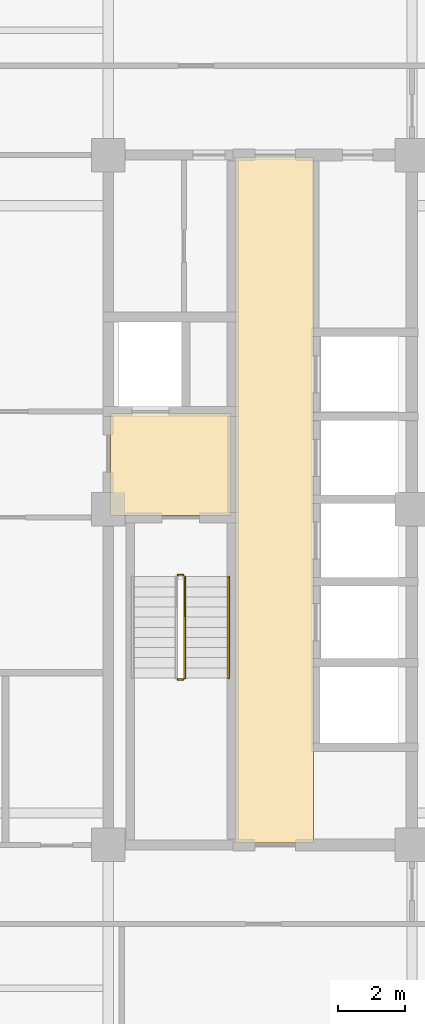
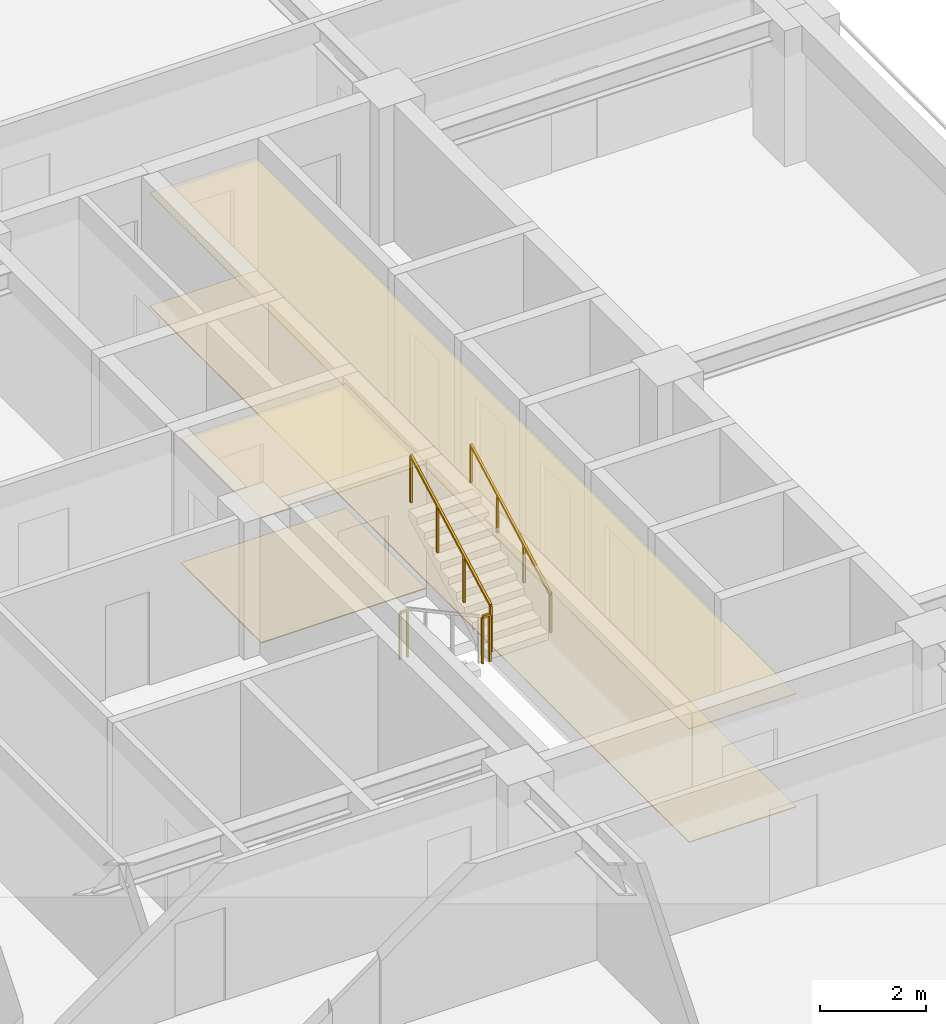
# One storey, part 12 of 13: 4 coverings, 4 railings.
"""IFC4 building model written with IfcOpenShell, lengths in metres."""

from ifc_helpers import new_model, si_unit, direction, frame, origin, origin_2d, place, context, subcontext, project, spatial, polyline, rectangle, outline, extrude, material, layer, layer_set, type_object, element, save


model = new_model("IFC4")

# Units and contexts
model_context = context("Model", 3, precision=1e-05, world=origin(), true_north=direction((0.0, 1.0)))
body_context = subcontext(model_context, "Body", "Model", "MODEL_VIEW")
ifc_project = project(units=[si_unit("LENGTHUNIT", "METRE"), si_unit("AREAUNIT", "SQUARE_METRE"), si_unit("VOLUMEUNIT", "CUBIC_METRE"), si_unit("PLANEANGLEUNIT", "RADIAN"), si_unit("MASSUNIT", "GRAM", prefix="KILO")], contexts=[model_context])

# Site, building, storey
site_placement = place(None, origin())
site = spatial("IfcSite", under=ifc_project, at=site_placement, CompositionType="ELEMENT")
building_placement = place(site_placement, origin())
building = spatial("IfcBuilding", under=site, at=building_placement, Name="Zulmaris Gate Convention Tower", CompositionType="ELEMENT")
storey_placement = place(building_placement, frame((0.0, 0.0, 112.780029296875)))
storey = spatial("IfcBuildingStorey", under=building, at=storey_placement, Name="L28", CompositionType="ELEMENT", Elevation=112.780029296875)

# Coverings
ifc_material_1 = material(Name="Mineral Fibre Acoustic Ceiling Tile")
ifc_layer_1 = layer(ifc_material_1, 0.02001953125, Name="Mineral Fibre Acoustic Ceiling Tile")
ifc_layer_set_1 = layer_set([ifc_layer_1], Name="Mineral Fibre Acoustic Ceiling Tile")
covering_type_1 = type_object("IfcCoveringType", Name="CLG-ACOUSTIC-600", PredefinedType="CEILING", material=ifc_layer_set_1)
covering_1_placement = place(storey_placement, frame((0.0, 0.0, 2.864990234375)))
element("IfcCovering", 1, at=covering_1_placement, inside=storey, type_object=covering_type_1, Name="CLG-L28-R08", PredefinedType="CEILING", context=body_context, shape_type="SweptSolid", body=[
    extrude(outline(polyline([(11.06005859375, -0.18994140625), (14.639892578125, -0.18994140625), (14.639892578125, 2.840087890625), (11.06005859375, 2.840087890625), (11.06005859375, -0.18994140625)])), origin(), (0.0, 0.0, 1.0), 0.019775390625),
])
covering_2_placement = place(storey_placement, frame((0.0, 0.0, 2.602783203125)))
element("IfcCovering", 2, at=covering_2_placement, inside=storey, type_object=covering_type_1, Name="CLG-L28-R24", PredefinedType="CEILING", context=body_context, shape_type="SweptSolid", body=[
    extrude(outline(polyline([(14.760009765625, -9.889892578125), (17.090087890625, -9.889892578125), (17.090087890625, 10.43994140625), (14.760009765625, 10.43994140625), (14.760009765625, -9.889892578125)])), origin(), (0.0, 0.0, 1.0), 0.02001953125),
])
ifc_material_2 = material(Name="Woven Acoustic Wool Carpet Tile")
ifc_layer_2 = layer(ifc_material_2, 0.02001953125, Name="Woven Acoustic Wool Carpet Tile")
ifc_layer_set_2 = layer_set([ifc_layer_2], Name="Woven Acoustic Wool Carpet Tile")
covering_type_2 = type_object("IfcCoveringType", Name="FLR-CARPET-12", PredefinedType="FLOORING", material=ifc_layer_set_2)
covering_3_placement = place(storey_placement, origin())
element("IfcCovering", 3, at=covering_3_placement, inside=storey, type_object=covering_type_2, Name="FLR-L28-R08", PredefinedType="FLOORING", context=body_context, shape_type="SweptSolid", body=[
    extrude(outline(polyline([(11.06005859375, -0.18994140625), (14.639892578125, -0.18994140625), (14.639892578125, 2.840087890625), (11.06005859375, 2.840087890625), (11.06005859375, -0.18994140625)])), origin(), (0.0, 0.0, 1.0), 0.02001953125),
])
covering_4_placement = place(storey_placement, origin())
element("IfcCovering", 4, at=covering_4_placement, inside=storey, type_object=covering_type_2, Name="FLR-L28-R24", PredefinedType="FLOORING", context=body_context, shape_type="SweptSolid", body=[
    extrude(outline(polyline([(14.760009765625, -9.889892578125), (17.090087890625, -9.889892578125), (17.090087890625, 10.43994140625), (14.760009765625, 10.43994140625), (14.760009765625, -9.889892578125)])), origin(), (0.0, 0.0, 1.0), 0.02001953125),
])

# Railings
ifc_material_3 = material(Name="Painted Galvanised Steel", Category="steel")
railing_type_1 = type_object("IfcRailingType", Name="RL-STG-1150", PredefinedType="GUARDRAIL", material=ifc_material_3)
railing_1_placement = place(storey_placement, frame((13.06005859375, -5.050048828125, 1.784912109375)))
element("IfcRailing", 5, at=railing_1_placement, inside=storey, type_object=railing_type_1, Name="L28 ST-2 stair guard 2", PredefinedType="GUARDRAIL", context=body_context, shape_type="SweptSolid", body=[
    extrude(rectangle(XDim=0.048095703125, YDim=0.048095703125, at=origin_2d()), frame((0.0, 0.0, 1.076171875), z_axis=(1.0, 0.0, 0.0), x_axis=(0.0, 1.0, 0.0)), (0.0, 0.0, 1.0), 0.159912109375),
    extrude(rectangle(XDim=0.0419921875, YDim=0.0419921875, at=origin_2d()), origin(), (0.0, 0.0, 1.0), 1.052001953125),
    extrude(rectangle(XDim=0.0419921875, YDim=0.0419921875, at=origin_2d()), frame((0.159912109375, 0.0, 0.0)), (0.0, 0.0, 1.0), 1.052001953125),
])
railing_2_placement = place(storey_placement, frame((13.27001953125, -5.0, 1.947265625)))
element("IfcRailing", 6, at=railing_2_placement, inside=storey, type_object=railing_type_1, Name="L28 ST-2 stair guard 3", PredefinedType="GUARDRAIL", context=body_context, shape_type="SweptSolid", body=[
    extrude(rectangle(XDim=0.048095703125, YDim=0.048095703125, at=origin_2d()), frame((0.0, 0.0, 1.076171875), z_axis=(0.0, 0.879591569277, 0.475729619907), x_axis=(-1.0, 0.0, 0.0)), (0.0, 0.0, 1.0), 3.41064453125),
    extrude(rectangle(XDim=0.0419921875, YDim=0.0419921875, at=origin_2d()), origin(), (0.0, 0.0, 1.0), 1.052001953125),
    extrude(rectangle(XDim=0.0419921875, YDim=0.0419921875, at=origin_2d()), frame((0.0, 1.0, 0.540771484375)), (0.0, 0.0, 1.0), 1.052001953125),
    extrude(rectangle(XDim=0.0419921875, YDim=0.0419921875, at=origin_2d()), frame((0.0, 2.0, 1.081787109375)), (0.0, 0.0, 1.0), 1.052001953125),
    extrude(rectangle(XDim=0.0419921875, YDim=0.0419921875, at=origin_2d()), frame((0.0, 3.0, 1.62255859375)), (0.0, 0.0, 1.0), 1.052001953125),
])
railing_3_placement = place(storey_placement, frame((13.06005859375, -1.949951171875, 0.0)))
element("IfcRailing", 7, at=railing_3_placement, inside=storey, type_object=railing_type_1, Name="L28 ST-2 stair guard 4", PredefinedType="GUARDRAIL", context=body_context, shape_type="SweptSolid", body=[
    extrude(rectangle(XDim=0.048095703125, YDim=0.048095703125, at=origin_2d()), frame((0.0, 0.0, 1.076171875), z_axis=(1.0, 0.0, 0.0), x_axis=(0.0, 1.0, 0.0)), (0.0, 0.0, 1.0), 0.159912109375),
    extrude(rectangle(XDim=0.0419921875, YDim=0.0419921875, at=origin_2d()), origin(), (0.0, 0.0, 1.0), 1.052001953125),
    extrude(rectangle(XDim=0.0419921875, YDim=0.0419921875, at=origin_2d()), frame((0.159912109375, 0.0, 0.0)), (0.0, 0.0, 1.0), 1.052001953125),
])
ifc_material_4 = material(Name="Brushed Stainless Steel", Category="steel")
railing_type_2 = type_object("IfcRailingType", Name="RL-STH-900", PredefinedType="HANDRAIL", material=ifc_material_4)
railing_4_placement = place(storey_placement, frame((14.570068359375, -5.0, 1.947265625)))
element("IfcRailing", 8, at=railing_4_placement, inside=storey, type_object=railing_type_2, Name="L28 ST-2 stair handrail 2", PredefinedType="HANDRAIL", context=body_context, shape_type="SweptSolid", body=[
    extrude(rectangle(XDim=0.048095703125, YDim=0.048095703125, at=origin_2d()), frame((0.0, 0.0, 0.8759765625), z_axis=(0.0, 0.879591569277, 0.475729619907), x_axis=(-1.0, 0.0, 0.0)), (0.0, 0.0, 1.0), 3.41064453125),
    extrude(rectangle(XDim=0.0419921875, YDim=0.0419921875, at=origin_2d()), origin(), (0.0, 0.0, 1.0), 0.851806640625),
    extrude(rectangle(XDim=0.0419921875, YDim=0.0419921875, at=origin_2d()), frame((0.0, 1.0, 0.540771484375)), (0.0, 0.0, 1.0), 0.851806640625),
    extrude(rectangle(XDim=0.0419921875, YDim=0.0419921875, at=origin_2d()), frame((0.0, 2.0, 1.081787109375)), (0.0, 0.0, 1.0), 0.851806640625),
    extrude(rectangle(XDim=0.0419921875, YDim=0.0419921875, at=origin_2d()), frame((0.0, 3.0, 1.62255859375)), (0.0, 0.0, 1.0), 0.851806640625),
])

save(model, "model.ifc")
